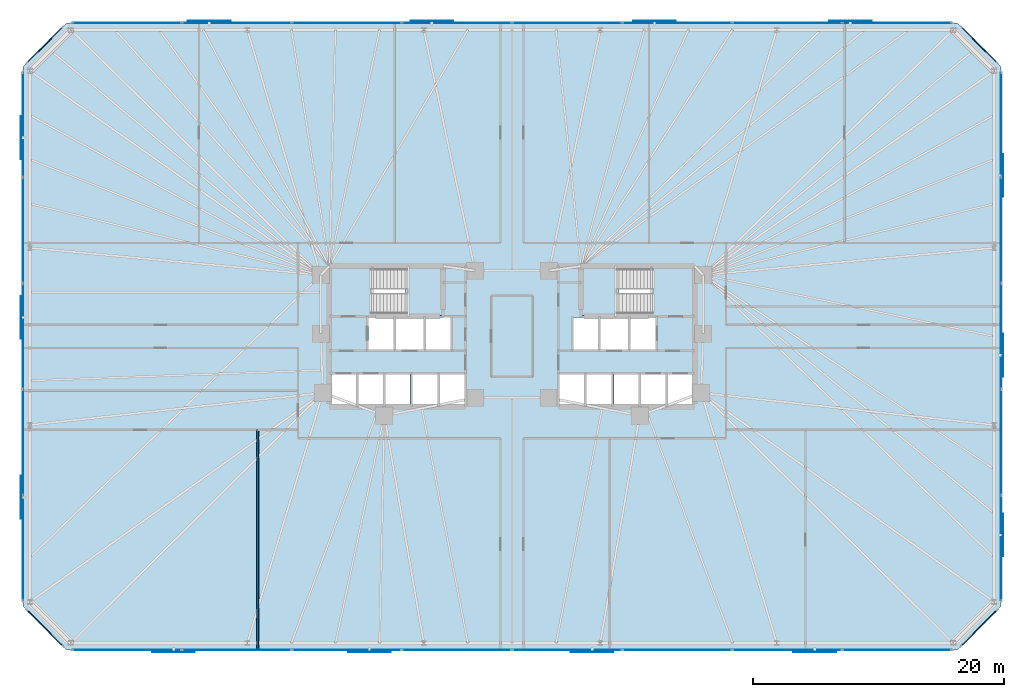
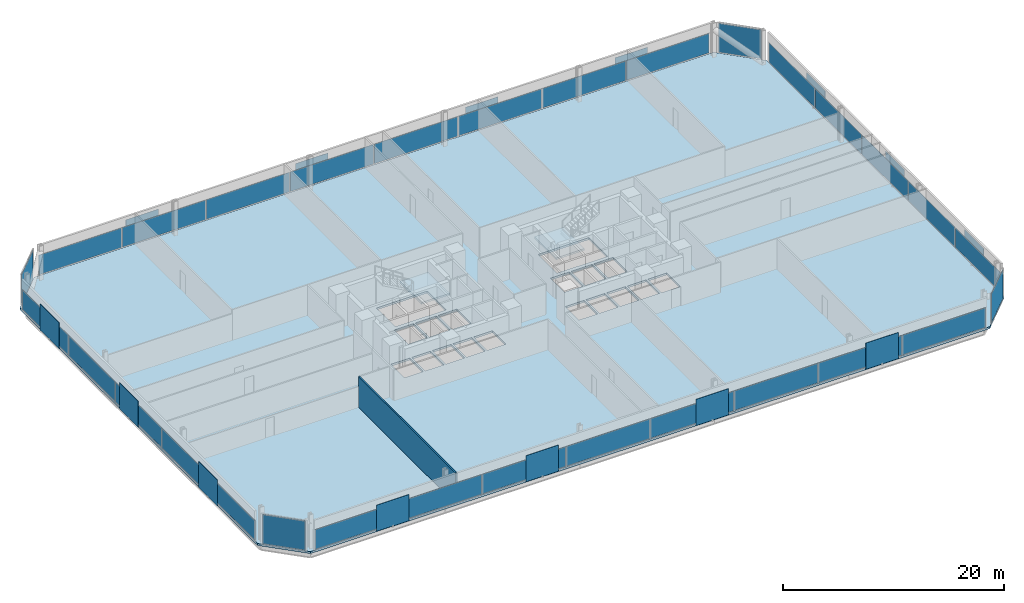
# One storey, part 11 of 17: 44 plates, 3 slabs, 1 wall, 10 elements without a shape of their own.
"""IFC4 building model written with IfcOpenShell, lengths in metres."""

from ifc_helpers import new_model, si_unit, direction, frame, frame_2d, origin, origin_2d, place, context, subcontext, project, spatial, polyline, rectangle, outline, extrude, material, layer, layer_set, type_object, element, aggregate, save


model = new_model("IFC4")

# Units and contexts
model_context = context("Model", 3, precision=1e-05, world=origin(), true_north=direction((0.0, 1.0)))
body_context = subcontext(model_context, "Body", "Model", "MODEL_VIEW")
ifc_project = project(units=[si_unit("LENGTHUNIT", "METRE"), si_unit("AREAUNIT", "SQUARE_METRE"), si_unit("VOLUMEUNIT", "CUBIC_METRE"), si_unit("PLANEANGLEUNIT", "RADIAN"), si_unit("MASSUNIT", "GRAM", prefix="KILO")], contexts=[model_context])

# Site, building, storey
site_placement = place(None, origin())
site = spatial("IfcSite", under=ifc_project, at=site_placement, CompositionType="ELEMENT")
building_placement = place(site_placement, origin())
building = spatial("IfcBuilding", under=site, at=building_placement, Name="Menara Jurai Vektor", CompositionType="ELEMENT")
storey_placement = place(building_placement, frame((0.0, 0.0, 75.0)))
storey = spatial("IfcBuildingStorey", under=building, at=storey_placement, Name="L18", CompositionType="ELEMENT", Elevation=75.0)

# Curtain wall, plates
ifc_material_1 = material(Name="Anodised Pale Aluminium & Low-E Double Glazing", Category="aluminium")
curtain_wall_type = type_object("IfcCurtainWallType", Name="CW-BLK1", PredefinedType="NOTDEFINED", material=ifc_material_1)
curtain_wall_1_placement = place(storey_placement, origin())
curtain_wall_1 = element("IfcCurtainWall", 1, at=curtain_wall_1_placement, inside=storey, type_object=curtain_wall_type, Name="Unitised Curtain Wall L18 F01", PredefinedType="NOTDEFINED")
ifc_material_2 = material(Name="Low-E Solar-Control Double Glazed Unit", Category="glass")
ifc_layer_1 = layer(ifc_material_2, 0.035888671875)
ifc_layer_set_1 = layer_set([ifc_layer_1], Name="Low-E Solar-Control Double Glazed Unit")
plate_type_1 = type_object("IfcPlateType", Name="CW-BLK1-PNL", PredefinedType="CURTAIN_PANEL", material=ifc_layer_set_1)
plate_1_placement = place(storey_placement, frame((-30.706298828125, -25.0, 0.094970703125), z_axis=(0.0, 0.0, 1.0), x_axis=(1.0, 0.0, 0.0)))
plate_1 = element("IfcPlate", 2, at=plate_1_placement, type_object=plate_type_1, Name="CW-01 panel 1.1", PredefinedType="CURTAIN_PANEL", context=body_context, shape_type="SweptSolid", body=[
    extrude(rectangle(XDim=8.637451171875, YDim=0.035888671875, at=origin_2d()), origin(), (0.0, 0.0, 1.0), 2.1689453125),
])
plate_2_placement = place(storey_placement, frame((-21.949951171875, -25.0, 0.094970703125), z_axis=(0.0, 0.0, 1.0), x_axis=(1.0, 0.0, 0.0)))
plate_2 = element("IfcPlate", 3, at=plate_2_placement, type_object=plate_type_1, Name="CW-01 panel 2.1", PredefinedType="CURTAIN_PANEL", context=body_context, shape_type="SweptSolid", body=[
    extrude(rectangle(XDim=8.68505859375, YDim=0.035888671875, at=origin_2d()), origin(), (0.0, 0.0, 1.0), 2.1689453125),
])
plate_3_placement = place(storey_placement, frame((-13.169921875, -25.0, 0.094970703125), z_axis=(0.0, 0.0, 1.0), x_axis=(1.0, 0.0, 0.0)))
plate_3 = element("IfcPlate", 4, at=plate_3_placement, type_object=plate_type_1, Name="CW-01 panel 3.1", PredefinedType="CURTAIN_PANEL", context=body_context, shape_type="SweptSolid", body=[
    extrude(rectangle(XDim=8.68505859375, YDim=0.035888671875, at=origin_2d()), origin(), (0.0, 0.0, 1.0), 2.1689453125),
])
plate_4_placement = place(storey_placement, frame((-4.389892578125, -25.0, 0.094970703125), z_axis=(0.0, 0.0, 1.0), x_axis=(1.0, 0.0, 0.0)))
plate_4 = element("IfcPlate", 5, at=plate_4_placement, type_object=plate_type_1, Name="CW-01 panel 4.1", PredefinedType="CURTAIN_PANEL", context=body_context, shape_type="SweptSolid", body=[
    extrude(rectangle(XDim=8.68505859375, YDim=0.035888671875, at=origin_2d()), origin(), (0.0, 0.0, 1.0), 2.1689453125),
])
plate_5_placement = place(storey_placement, frame((4.389892578125, -25.0, 0.094970703125), z_axis=(0.0, 0.0, 1.0), x_axis=(1.0, 0.0, 0.0)))
plate_5 = element("IfcPlate", 6, at=plate_5_placement, type_object=plate_type_1, Name="CW-01 panel 5.1", PredefinedType="CURTAIN_PANEL", context=body_context, shape_type="SweptSolid", body=[
    extrude(rectangle(XDim=8.68505859375, YDim=0.035888671875, at=origin_2d()), origin(), (0.0, 0.0, 1.0), 2.1689453125),
])
plate_6_placement = place(storey_placement, frame((13.169921875, -25.0, 0.094970703125), z_axis=(0.0, 0.0, 1.0), x_axis=(1.0, 0.0, 0.0)))
plate_6 = element("IfcPlate", 7, at=plate_6_placement, type_object=plate_type_1, Name="CW-01 panel 6.1", PredefinedType="CURTAIN_PANEL", context=body_context, shape_type="SweptSolid", body=[
    extrude(rectangle(XDim=8.68505859375, YDim=0.035888671875, at=origin_2d()), origin(), (0.0, 0.0, 1.0), 2.1689453125),
])
plate_7_placement = place(storey_placement, frame((21.949951171875, -25.0, 0.094970703125), z_axis=(0.0, 0.0, 1.0), x_axis=(1.0, 0.0, 0.0)))
plate_7 = element("IfcPlate", 8, at=plate_7_placement, type_object=plate_type_1, Name="CW-01 panel 7.1", PredefinedType="CURTAIN_PANEL", context=body_context, shape_type="SweptSolid", body=[
    extrude(rectangle(XDim=8.68505859375, YDim=0.035888671875, at=origin_2d()), origin(), (0.0, 0.0, 1.0), 2.1689453125),
])
plate_8_placement = place(storey_placement, frame((30.706298828125, -25.0, 0.094970703125), z_axis=(0.0, 0.0, 1.0), x_axis=(1.0, 0.0, 0.0)))
plate_8 = element("IfcPlate", 9, at=plate_8_placement, type_object=plate_type_1, Name="CW-01 panel 8.1", PredefinedType="CURTAIN_PANEL", context=body_context, shape_type="SweptSolid", body=[
    extrude(rectangle(XDim=8.637451171875, YDim=0.035888671875, at=origin_2d()), origin(), (0.0, 0.0, 1.0), 2.1689453125),
])
aggregate(curtain_wall_1, [plate_1, plate_2, plate_3, plate_4, plate_5, plate_6, plate_7, plate_8])

curtain_wall_2_placement = place(storey_placement, origin())
curtain_wall_2 = element("IfcCurtainWall", 10, at=curtain_wall_2_placement, inside=storey, type_object=curtain_wall_type, Name="Unitised Curtain Wall L18 F03", PredefinedType="NOTDEFINED")
plate_9_placement = place(storey_placement, frame((39.0, -16.872314453125, 0.094970703125), z_axis=(0.0, 0.0, 1.0), x_axis=(0.0, 1.0, 0.0)))
plate_9 = element("IfcPlate", 11, at=plate_9_placement, type_object=plate_type_1, Name="CW-01 panel 1.1", PredefinedType="CURTAIN_PANEL", context=body_context, shape_type="SweptSolid", body=[
    extrude(rectangle(XDim=8.305419921875, YDim=0.035888671875, at=origin_2d()), origin(), (0.0, 0.0, 1.0), 2.1689453125),
])
plate_10_placement = place(storey_placement, frame((39.0, -8.447998046875, 0.094970703125), z_axis=(0.0, 0.0, 1.0), x_axis=(0.0, 1.0, 0.0)))
plate_10 = element("IfcPlate", 12, at=plate_10_placement, type_object=plate_type_1, Name="CW-01 panel 2.1", PredefinedType="CURTAIN_PANEL", context=body_context, shape_type="SweptSolid", body=[
    extrude(rectangle(XDim=8.35302734375, YDim=0.035888671875, at=origin_2d()), origin(), (0.0, 0.0, 1.0), 2.1689453125),
])
plate_11_placement = place(storey_placement, frame((39.0, 0.0, 0.094970703125), z_axis=(0.0, 0.0, 1.0), x_axis=(0.0, 1.0, 0.0)))
plate_11 = element("IfcPlate", 13, at=plate_11_placement, type_object=plate_type_1, Name="CW-01 panel 3.1", PredefinedType="CURTAIN_PANEL", context=body_context, shape_type="SweptSolid", body=[
    extrude(rectangle(XDim=8.35302734375, YDim=0.035888671875, at=origin_2d()), origin(), (0.0, 0.0, 1.0), 2.1689453125),
])
plate_12_placement = place(storey_placement, frame((39.0, 8.447998046875, 0.094970703125), z_axis=(0.0, 0.0, 1.0), x_axis=(0.0, 1.0, 0.0)))
plate_12 = element("IfcPlate", 14, at=plate_12_placement, type_object=plate_type_1, Name="CW-01 panel 4.1", PredefinedType="CURTAIN_PANEL", context=body_context, shape_type="SweptSolid", body=[
    extrude(rectangle(XDim=8.35302734375, YDim=0.035888671875, at=origin_2d()), origin(), (0.0, 0.0, 1.0), 2.1689453125),
])
plate_13_placement = place(storey_placement, frame((39.0, 16.872314453125, 0.094970703125), z_axis=(0.0, 0.0, 1.0), x_axis=(0.0, 1.0, 0.0)))
plate_13 = element("IfcPlate", 15, at=plate_13_placement, type_object=plate_type_1, Name="CW-01 panel 5.1", PredefinedType="CURTAIN_PANEL", context=body_context, shape_type="SweptSolid", body=[
    extrude(rectangle(XDim=8.305419921875, YDim=0.035888671875, at=origin_2d()), origin(), (0.0, 0.0, 1.0), 2.1689453125),
])
aggregate(curtain_wall_2, [plate_9, plate_10, plate_11, plate_12, plate_13])

curtain_wall_3_placement = place(storey_placement, origin())
curtain_wall_3 = element("IfcCurtainWall", 16, at=curtain_wall_3_placement, inside=storey, type_object=curtain_wall_type, Name="Unitised Curtain Wall L18 F05", PredefinedType="NOTDEFINED")
plate_14_placement = place(storey_placement, frame((30.706298828125, 25.0, 0.094970703125), z_axis=(0.0, 0.0, 1.0), x_axis=(-1.0, 0.0, 0.0)))
plate_14 = element("IfcPlate", 17, at=plate_14_placement, type_object=plate_type_1, Name="CW-01 panel 1.1", PredefinedType="CURTAIN_PANEL", context=body_context, shape_type="SweptSolid", body=[
    extrude(rectangle(XDim=8.637451171875, YDim=0.035888671875, at=origin_2d()), origin(), (0.0, 0.0, 1.0), 2.1689453125),
])
plate_15_placement = place(storey_placement, frame((21.949951171875, 25.0, 0.094970703125), z_axis=(0.0, 0.0, 1.0), x_axis=(-1.0, 0.0, 0.0)))
plate_15 = element("IfcPlate", 18, at=plate_15_placement, type_object=plate_type_1, Name="CW-01 panel 2.1", PredefinedType="CURTAIN_PANEL", context=body_context, shape_type="SweptSolid", body=[
    extrude(rectangle(XDim=8.68505859375, YDim=0.035888671875, at=origin_2d()), origin(), (0.0, 0.0, 1.0), 2.1689453125),
])
plate_16_placement = place(storey_placement, frame((13.169921875, 25.0, 0.094970703125), z_axis=(0.0, 0.0, 1.0), x_axis=(-1.0, 0.0, 0.0)))
plate_16 = element("IfcPlate", 19, at=plate_16_placement, type_object=plate_type_1, Name="CW-01 panel 3.1", PredefinedType="CURTAIN_PANEL", context=body_context, shape_type="SweptSolid", body=[
    extrude(rectangle(XDim=8.68505859375, YDim=0.035888671875, at=origin_2d()), origin(), (0.0, 0.0, 1.0), 2.1689453125),
])
plate_17_placement = place(storey_placement, frame((4.389892578125, 25.0, 0.094970703125), z_axis=(0.0, 0.0, 1.0), x_axis=(-1.0, 0.0, 0.0)))
plate_17 = element("IfcPlate", 20, at=plate_17_placement, type_object=plate_type_1, Name="CW-01 panel 4.1", PredefinedType="CURTAIN_PANEL", context=body_context, shape_type="SweptSolid", body=[
    extrude(rectangle(XDim=8.68505859375, YDim=0.035888671875, at=origin_2d()), origin(), (0.0, 0.0, 1.0), 2.1689453125),
])
plate_18_placement = place(storey_placement, frame((-4.389892578125, 25.0, 0.094970703125), z_axis=(0.0, 0.0, 1.0), x_axis=(-1.0, 0.0, 0.0)))
plate_18 = element("IfcPlate", 21, at=plate_18_placement, type_object=plate_type_1, Name="CW-01 panel 5.1", PredefinedType="CURTAIN_PANEL", context=body_context, shape_type="SweptSolid", body=[
    extrude(rectangle(XDim=8.68505859375, YDim=0.035888671875, at=origin_2d()), origin(), (0.0, 0.0, 1.0), 2.1689453125),
])
plate_19_placement = place(storey_placement, frame((-13.169921875, 25.0, 0.094970703125), z_axis=(0.0, 0.0, 1.0), x_axis=(-1.0, 0.0, 0.0)))
plate_19 = element("IfcPlate", 22, at=plate_19_placement, type_object=plate_type_1, Name="CW-01 panel 6.1", PredefinedType="CURTAIN_PANEL", context=body_context, shape_type="SweptSolid", body=[
    extrude(rectangle(XDim=8.68505859375, YDim=0.035888671875, at=origin_2d()), origin(), (0.0, 0.0, 1.0), 2.1689453125),
])
plate_20_placement = place(storey_placement, frame((-21.949951171875, 25.0, 0.094970703125), z_axis=(0.0, 0.0, 1.0), x_axis=(-1.0, 0.0, 0.0)))
plate_20 = element("IfcPlate", 23, at=plate_20_placement, type_object=plate_type_1, Name="CW-01 panel 7.1", PredefinedType="CURTAIN_PANEL", context=body_context, shape_type="SweptSolid", body=[
    extrude(rectangle(XDim=8.68505859375, YDim=0.035888671875, at=origin_2d()), origin(), (0.0, 0.0, 1.0), 2.1689453125),
])
plate_21_placement = place(storey_placement, frame((-30.706298828125, 25.0, 0.094970703125), z_axis=(0.0, 0.0, 1.0), x_axis=(-1.0, 0.0, 0.0)))
plate_21 = element("IfcPlate", 24, at=plate_21_placement, type_object=plate_type_1, Name="CW-01 panel 8.1", PredefinedType="CURTAIN_PANEL", context=body_context, shape_type="SweptSolid", body=[
    extrude(rectangle(XDim=8.637451171875, YDim=0.035888671875, at=origin_2d()), origin(), (0.0, 0.0, 1.0), 2.1689453125),
])
aggregate(curtain_wall_3, [plate_14, plate_15, plate_16, plate_17, plate_18, plate_19, plate_20, plate_21])

curtain_wall_4_placement = place(storey_placement, origin())
curtain_wall_4 = element("IfcCurtainWall", 25, at=curtain_wall_4_placement, inside=storey, type_object=curtain_wall_type, Name="Unitised Curtain Wall L18 F07", PredefinedType="NOTDEFINED")
plate_22_placement = place(storey_placement, frame((-39.0, 16.872314453125, 0.094970703125), z_axis=(0.0, 0.0, 1.0), x_axis=(0.0, -1.0, 0.0)))
plate_22 = element("IfcPlate", 26, at=plate_22_placement, type_object=plate_type_1, Name="CW-01 panel 1.1", PredefinedType="CURTAIN_PANEL", context=body_context, shape_type="SweptSolid", body=[
    extrude(rectangle(XDim=8.305419921875, YDim=0.035888671875, at=origin_2d()), origin(), (0.0, 0.0, 1.0), 2.1689453125),
])
plate_23_placement = place(storey_placement, frame((-39.0, 8.447998046875, 0.094970703125), z_axis=(0.0, 0.0, 1.0), x_axis=(0.0, -1.0, 0.0)))
plate_23 = element("IfcPlate", 27, at=plate_23_placement, type_object=plate_type_1, Name="CW-01 panel 2.1", PredefinedType="CURTAIN_PANEL", context=body_context, shape_type="SweptSolid", body=[
    extrude(rectangle(XDim=8.35302734375, YDim=0.035888671875, at=origin_2d()), origin(), (0.0, 0.0, 1.0), 2.1689453125),
])
plate_24_placement = place(storey_placement, frame((-39.0, 0.0, 0.094970703125), z_axis=(0.0, 0.0, 1.0), x_axis=(0.0, -1.0, 0.0)))
plate_24 = element("IfcPlate", 28, at=plate_24_placement, type_object=plate_type_1, Name="CW-01 panel 3.1", PredefinedType="CURTAIN_PANEL", context=body_context, shape_type="SweptSolid", body=[
    extrude(rectangle(XDim=8.35302734375, YDim=0.035888671875, at=origin_2d()), origin(), (0.0, 0.0, 1.0), 2.1689453125),
])
plate_25_placement = place(storey_placement, frame((-39.0, -8.447998046875, 0.094970703125), z_axis=(0.0, 0.0, 1.0), x_axis=(0.0, -1.0, 0.0)))
plate_25 = element("IfcPlate", 29, at=plate_25_placement, type_object=plate_type_1, Name="CW-01 panel 4.1", PredefinedType="CURTAIN_PANEL", context=body_context, shape_type="SweptSolid", body=[
    extrude(rectangle(XDim=8.35302734375, YDim=0.035888671875, at=origin_2d()), origin(), (0.0, 0.0, 1.0), 2.1689453125),
])
plate_26_placement = place(storey_placement, frame((-39.0, -16.872314453125, 0.094970703125), z_axis=(0.0, 0.0, 1.0), x_axis=(0.0, -1.0, 0.0)))
plate_26 = element("IfcPlate", 30, at=plate_26_placement, type_object=plate_type_1, Name="CW-01 panel 5.1", PredefinedType="CURTAIN_PANEL", context=body_context, shape_type="SweptSolid", body=[
    extrude(rectangle(XDim=8.305419921875, YDim=0.035888671875, at=origin_2d()), origin(), (0.0, 0.0, 1.0), 2.1689453125),
])
aggregate(curtain_wall_4, [plate_22, plate_23, plate_24, plate_25, plate_26])

# Curtain wall, plate
curtain_wall_5_placement = place(storey_placement, origin())
curtain_wall_5 = element("IfcCurtainWall", 31, at=curtain_wall_5_placement, inside=storey, type_object=curtain_wall_type, Name="Unitised Curtain Wall L18 F02", PredefinedType="NOTDEFINED")
ifc_material_3 = material(Name="Insulated Pale Aluminium Spandrel Panel", Category="aluminium")
ifc_layer_2 = layer(ifc_material_3, 0.06005859375)
ifc_layer_set_2 = layer_set([ifc_layer_2], Name="Insulated Pale Aluminium Spandrel Panel")
plate_type_2 = type_object("IfcPlateType", Name="CW-PNL-SP", PredefinedType="CURTAIN_PANEL", material=ifc_layer_set_2)
plate_27_placement = place(storey_placement, frame((37.25, -23.25, 0.094970703125), z_axis=(0.0, 0.0, 1.0), x_axis=(0.707106781187, 0.707106781187, 0.0)))
plate_27 = element("IfcPlate", 32, at=plate_27_placement, type_object=plate_type_2, Name="CW-01 panel 1.1", PredefinedType="CURTAIN_PANEL", context=body_context, shape_type="SweptSolid", body=[
    extrude(rectangle(XDim=3.999755859375, YDim=0.06005859375, at=origin_2d()), origin(), (0.0, 0.0, 1.0), 3.205078125),
])
aggregate(curtain_wall_5, [plate_27])

curtain_wall_6_placement = place(storey_placement, origin())
curtain_wall_6 = element("IfcCurtainWall", 33, at=curtain_wall_6_placement, inside=storey, type_object=curtain_wall_type, Name="Unitised Curtain Wall L18 F04", PredefinedType="NOTDEFINED")
plate_28_placement = place(storey_placement, frame((37.25, 23.25, 0.094970703125), z_axis=(0.0, 0.0, 1.0), x_axis=(-0.707106781187, 0.707106781187, 0.0)))
plate_28 = element("IfcPlate", 34, at=plate_28_placement, type_object=plate_type_2, Name="CW-01 panel 1.1", PredefinedType="CURTAIN_PANEL", context=body_context, shape_type="SweptSolid", body=[
    extrude(rectangle(XDim=3.999755859375, YDim=0.06005859375, at=origin_2d()), origin(), (0.0, 0.0, 1.0), 3.205078125),
])
aggregate(curtain_wall_6, [plate_28])

curtain_wall_7_placement = place(storey_placement, origin())
curtain_wall_7 = element("IfcCurtainWall", 35, at=curtain_wall_7_placement, inside=storey, type_object=curtain_wall_type, Name="Unitised Curtain Wall L18 F06", PredefinedType="NOTDEFINED")
plate_29_placement = place(storey_placement, frame((-37.25, 23.25, 0.094970703125), z_axis=(0.0, 0.0, 1.0), x_axis=(-0.707106781187, -0.707106781187, 0.0)))
plate_29 = element("IfcPlate", 36, at=plate_29_placement, type_object=plate_type_2, Name="CW-01 panel 1.1", PredefinedType="CURTAIN_PANEL", context=body_context, shape_type="SweptSolid", body=[
    extrude(rectangle(XDim=3.999755859375, YDim=0.06005859375, at=origin_2d()), origin(), (0.0, 0.0, 1.0), 3.205078125),
])
aggregate(curtain_wall_7, [plate_29])

curtain_wall_8_placement = place(storey_placement, origin())
curtain_wall_8 = element("IfcCurtainWall", 37, at=curtain_wall_8_placement, inside=storey, type_object=curtain_wall_type, Name="Unitised Curtain Wall L18 F08", PredefinedType="NOTDEFINED")
plate_30_placement = place(storey_placement, frame((-37.25, -23.25, 0.094970703125), z_axis=(0.0, 0.0, 1.0), x_axis=(0.707106781187, -0.707106781187, 0.0)))
plate_30 = element("IfcPlate", 38, at=plate_30_placement, type_object=plate_type_2, Name="CW-01 panel 1.1", PredefinedType="CURTAIN_PANEL", context=body_context, shape_type="SweptSolid", body=[
    extrude(rectangle(XDim=3.999755859375, YDim=0.06005859375, at=origin_2d()), origin(), (0.0, 0.0, 1.0), 3.205078125),
])
aggregate(curtain_wall_8, [plate_30])

# Plates
ifc_material_4 = material(Name="Anodised Pale Aluminium Perforated Screen", Category="aluminium")
ifc_layer_3 = layer(ifc_material_4, 0.02392578125)
ifc_layer_set_3 = layer_set([ifc_layer_3], Name="Anodised Pale Aluminium Perforated Screen")
plate_type_3 = type_object("IfcPlateType", Name="ENV-PLT-SCREEN", PredefinedType="USERDEFINED", material=ifc_layer_set_3)
for number, where, z_axis, x_axis, name in (
    (39, (-26.97998046875, -25.159912109375, -0.050048828125), (0.0, 0.0, 1.0), (1.0, 0.0, 0.0), "Perforated Pale-Metal Solar Screen L18-S01"),
    (40, (-11.360107421875, -25.159912109375, -0.050048828125), (0.0, 0.0, 1.0), (1.0, 0.0, 0.0), "Perforated Pale-Metal Solar Screen L18-S02"),
    (41, (6.389892578125, -25.159912109375, -0.050048828125), (0.0, 0.0, 1.0), (1.0, 0.0, 0.0), "Perforated Pale-Metal Solar Screen L18-S03"),
    (42, (24.139892578125, -25.159912109375, -0.050048828125), (0.0, 0.0, 1.0), (1.0, 0.0, 0.0), "Perforated Pale-Metal Solar Screen L18-S04"),
    (43, (39.159912109375, -15.83837890625, -0.050048828125), (0.0, 0.0, 1.0), (0.0, 1.0, 0.0), "Perforated Pale-Metal Solar Screen L18-S05"),
    (44, (39.159912109375, -1.5048828125, -0.050048828125), (0.0, 0.0, 1.0), (0.0, 1.0, 0.0), "Perforated Pale-Metal Solar Screen L18-S06"),
    (45, (39.159912109375, 12.828369140625, -0.050048828125), (0.0, 0.0, 1.0), (0.0, 1.0, 0.0), "Perforated Pale-Metal Solar Screen L18-S07"),
    (46, (26.97998046875, 25.159912109375, -0.050048828125), (0.0, 0.0, 1.0), (-1.0, 0.0, 0.0), "Perforated Pale-Metal Solar Screen L18-S08"),
    (47, (11.360107421875, 25.159912109375, -0.050048828125), (0.0, 0.0, 1.0), (-1.0, 0.0, 0.0), "Perforated Pale-Metal Solar Screen L18-S09"),
    (48, (-6.389892578125, 25.159912109375, -0.050048828125), (0.0, 0.0, 1.0), (-1.0, 0.0, 0.0), "Perforated Pale-Metal Solar Screen L18-S10"),
    (49, (-24.139892578125, 25.159912109375, -0.050048828125), (0.0, 0.0, 1.0), (-1.0, 0.0, 0.0), "Perforated Pale-Metal Solar Screen L18-S11"),
    (50, (-39.159912109375, 15.83837890625, -0.050048828125), (0.0, 0.0, 1.0), (0.0, -1.0, 0.0), "Perforated Pale-Metal Solar Screen L18-S12"),
    (51, (-39.159912109375, 1.5048828125, -0.050048828125), (0.0, 0.0, 1.0), (0.0, -1.0, 0.0), "Perforated Pale-Metal Solar Screen L18-S13"),
    (52, (-39.159912109375, -12.828369140625, -0.050048828125), (0.0, 0.0, 1.0), (0.0, -1.0, 0.0), "Perforated Pale-Metal Solar Screen L18-S14"),
):
    element("IfcPlate", number, at=place(storey_placement, frame(where, z_axis=z_axis, x_axis=x_axis)), inside=storey, type_object=plate_type_3, Name=name, ObjectType="SCREEN", PredefinedType="USERDEFINED", context=body_context, shape_type="SweptSolid", body=[
        extrude(rectangle(XDim=3.39990234375, YDim=0.02392578125, at=origin_2d()), origin(), (0.0, 0.0, 1.0), 2.89990234375),
    ])

# Stair, slab
ifc_material_5 = material(Name="Concrete C40/50", Category="concrete")
stair_type = type_object("IfcStairType", Name="STAIR-DOGLEG-1500", PredefinedType="HALF_TURN_STAIR", material=ifc_material_5)
stair_1_placement = place(storey_placement, origin())
stair_1 = element("IfcStair", 53, at=stair_1_placement, inside=storey, type_object=stair_type, Name="Protected Exit Stair ST1 L18", PredefinedType="HALF_TURN_STAIR")
ifc_layer_4 = layer(ifc_material_5, 0.199951171875)
ifc_layer_set_4 = layer_set([ifc_layer_4], Name="Concrete C40/50")
slab_type_1 = type_object("IfcSlabType", Name="STAIR-LANDING-200", PredefinedType="LANDING", material=ifc_layer_set_4)
slab_1_placement = place(storey_placement, frame((0.0, 0.0, 1.699951171875)))
slab_1 = element("IfcSlab", 54, at=slab_1_placement, type_object=slab_type_1, Name="ST1 landing 1", PredefinedType="LANDING", context=body_context, shape_type="SweptSolid", body=[
    extrude(outline(polyline([(-8.52001953125, 1.64990234375), (-5.550048828125, 1.64990234375), (-5.550048828125, 5.550048828125), (-8.52001953125, 5.550048828125), (-8.52001953125, 1.64990234375)])), origin(), (0.0, 0.0, 1.0), 0.199951171875),
])
aggregate(stair_1, [slab_1])

stair_2_placement = place(storey_placement, origin())
stair_2 = element("IfcStair", 55, at=stair_2_placement, inside=storey, type_object=stair_type, Name="Protected Exit Stair ST2 L18", PredefinedType="HALF_TURN_STAIR")
slab_2_placement = place(storey_placement, frame((0.0, 0.0, 1.699951171875)))
slab_2 = element("IfcSlab", 56, at=slab_2_placement, type_object=slab_type_1, Name="ST2 landing 1", PredefinedType="LANDING", context=body_context, shape_type="SweptSolid", body=[
    extrude(outline(polyline([(5.550048828125, 1.64990234375), (8.52001953125, 1.64990234375), (8.52001953125, 5.550048828125), (5.550048828125, 5.550048828125), (5.550048828125, 1.64990234375)])), origin(), (0.0, 0.0, 1.0), 0.199951171875),
])
aggregate(stair_2, [slab_2])

# Slab
ifc_layer_5 = layer(ifc_material_5, 0.22509765625)
ifc_layer_set_5 = layer_set([ifc_layer_5], Name="Concrete C40/50")
slab_type_2 = type_object("IfcSlabType", Name="STR-SLAB-TYP200", PredefinedType="FLOOR", material=ifc_layer_set_5)
slab_3_placement = place(storey_placement, frame((0.0, 0.0, -0.22509765625)))
element("IfcSlab", 57, at=slab_3_placement, inside=storey, type_object=slab_type_2, Name="Composite Floor Slab L18", PredefinedType="FLOOR", context=body_context, shape_type="SweptSolid", body=[
    extrude(outline(polyline([(-35.5, -25.0), (35.5, -25.0), (39.0, -21.5), (39.0, 21.5), (35.5, 25.0), (-35.5, 25.0), (-39.0, 21.5), (-39.0, -21.5), (-35.5, -25.0)]), holes=[polyline([(-11.10009765625, 1.89990234375), (-11.10009765625, 5.300048828125), (-5.800048828125, 5.300048828125), (-5.800048828125, 1.89990234375), (-11.10009765625, 1.89990234375)]), polyline([(5.800048828125, 1.89990234375), (5.800048828125, 5.300048828125), (11.10009765625, 5.300048828125), (11.10009765625, 1.89990234375), (5.800048828125, 1.89990234375)]), polyline([(-11.449951171875, -1.050048828125), (-11.449951171875, 1.5), (-9.449951171875, 1.5), (-9.449951171875, -1.050048828125), (-11.449951171875, -1.050048828125)]), polyline([(9.449951171875, -1.050048828125), (9.449951171875, 1.5), (11.449951171875, 1.5), (11.449951171875, -1.050048828125), (9.449951171875, -1.050048828125)]), polyline([(-5.760009765625, -5.5), (-5.760009765625, -3.050048828125), (-3.800048828125, -3.050048828125), (-3.800048828125, -5.5), (-5.760009765625, -5.5)]), polyline([(-6.85009765625, -1.050048828125), (-6.85009765625, 1.5), (-4.889892578125, 1.5), (-4.889892578125, -1.050048828125), (-6.85009765625, -1.050048828125)]), polyline([(3.800048828125, -5.5), (3.800048828125, -3.050048828125), (5.760009765625, -3.050048828125), (5.760009765625, -5.5), (3.800048828125, -5.5)]), polyline([(4.889892578125, -1.050048828125), (4.889892578125, 1.5), (6.85009765625, 1.5), (6.85009765625, -1.050048828125), (4.889892578125, -1.050048828125)]), polyline([(-14.39990234375, -5.5), (-14.39990234375, -3.050048828125), (-12.43994140625, -3.050048828125), (-12.43994140625, -5.5), (-14.39990234375, -5.5)]), polyline([(-12.239990234375, -5.5), (-12.239990234375, -3.050048828125), (-10.280029296875, -3.050048828125), (-10.280029296875, -5.5), (-12.239990234375, -5.5)]), polyline([(10.280029296875, -5.5), (10.280029296875, -3.050048828125), (12.239990234375, -3.050048828125), (12.239990234375, -5.5), (10.280029296875, -5.5)]), polyline([(12.43994140625, -5.5), (12.43994140625, -3.050048828125), (14.39990234375, -3.050048828125), (14.39990234375, -5.5), (12.43994140625, -5.5)]), polyline([(-10.080078125, -5.5), (-10.080078125, -3.050048828125), (-8.1201171875, -3.050048828125), (-8.1201171875, -5.5), (-10.080078125, -5.5)]), polyline([(-7.919921875, -5.5), (-7.919921875, -3.050048828125), (-5.9599609375, -3.050048828125), (-5.9599609375, -5.5), (-7.919921875, -5.5)]), polyline([(5.9599609375, -5.5), (5.9599609375, -3.050048828125), (7.919921875, -3.050048828125), (7.919921875, -5.5), (5.9599609375, -5.5)]), polyline([(8.1201171875, -5.5), (8.1201171875, -3.050048828125), (10.080078125, -3.050048828125), (10.080078125, -5.5), (8.1201171875, -5.5)]), polyline([(-9.25, -1.050048828125), (-9.25, 1.5), (-7.050048828125, 1.5), (-7.050048828125, -1.050048828125), (-9.25, -1.050048828125)]), polyline([(7.050048828125, -1.050048828125), (7.050048828125, 1.5), (9.25, 1.5), (9.25, -1.050048828125), (7.050048828125, -1.050048828125)])]), origin(), (0.0, 0.0, 1.0), 0.22509765625),
])

# Wall
ifc_material_6 = material(Name="Gypsum Fireboard Partition", Category="gypsum")
ifc_layer_6 = layer(ifc_material_6, 0.14990234375)
ifc_layer_set_6 = layer_set([ifc_layer_6], Name="Gypsum Fireboard Partition")
wall_type = type_object("IfcWallType", Name="INT-WALL-CORR-150", PredefinedType="PARTITIONING", material=ifc_layer_set_6)
wall_placement = place(storey_placement, frame((-20.280029296875, -25.0, 0.0), z_axis=(0.0, 0.0, 1.0), x_axis=(0.0, 1.0, 0.0)))
element("IfcWall", 58, at=wall_placement, inside=storey, type_object=wall_type, Name="Interior Wall IW-150 L18", PredefinedType="PARTITIONING", context=body_context, shape_type="SweptSolid", body=[
    extrude(rectangle(XDim=17.550048828125, YDim=0.14990234375, at=frame_2d((8.77490234375, 0.0))), origin(), (0.0, 0.0, 1.0), 3.39990234375),
])

save(model, "model.ifc")
